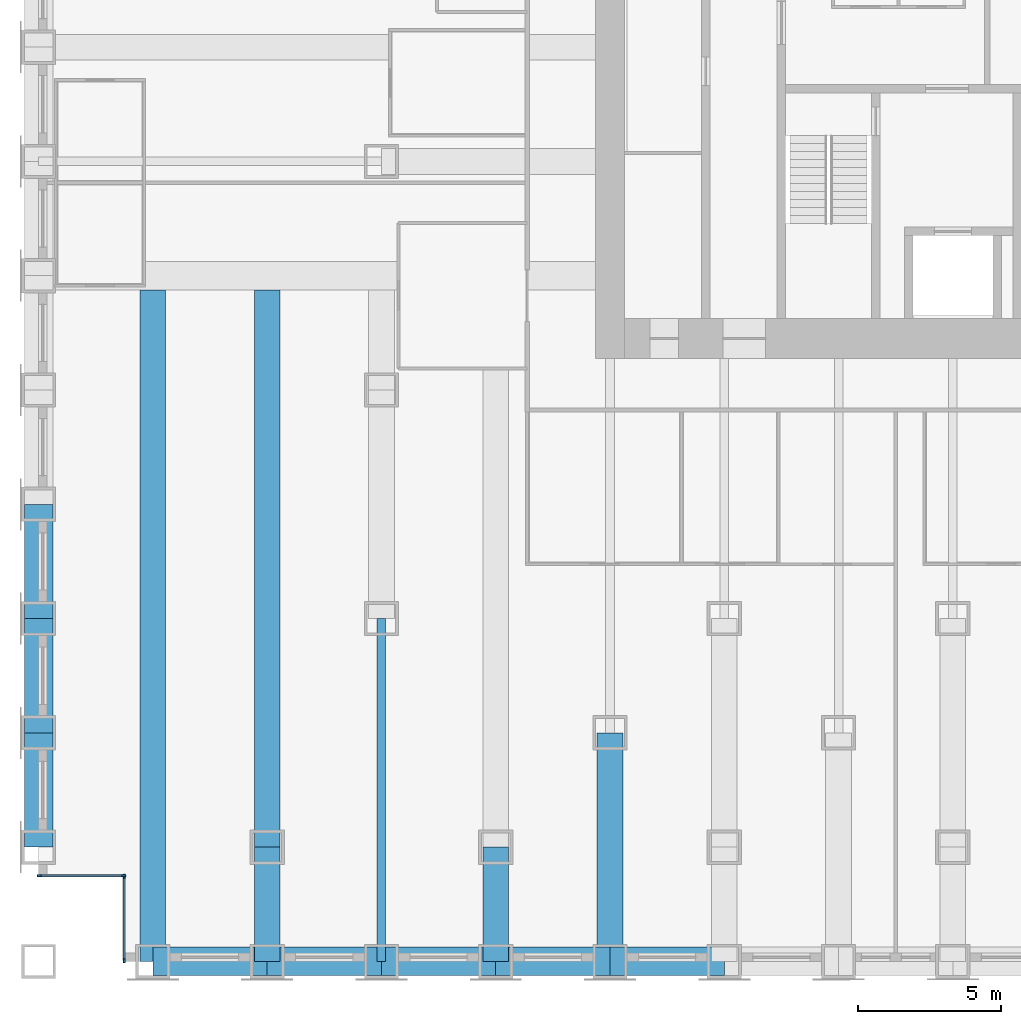
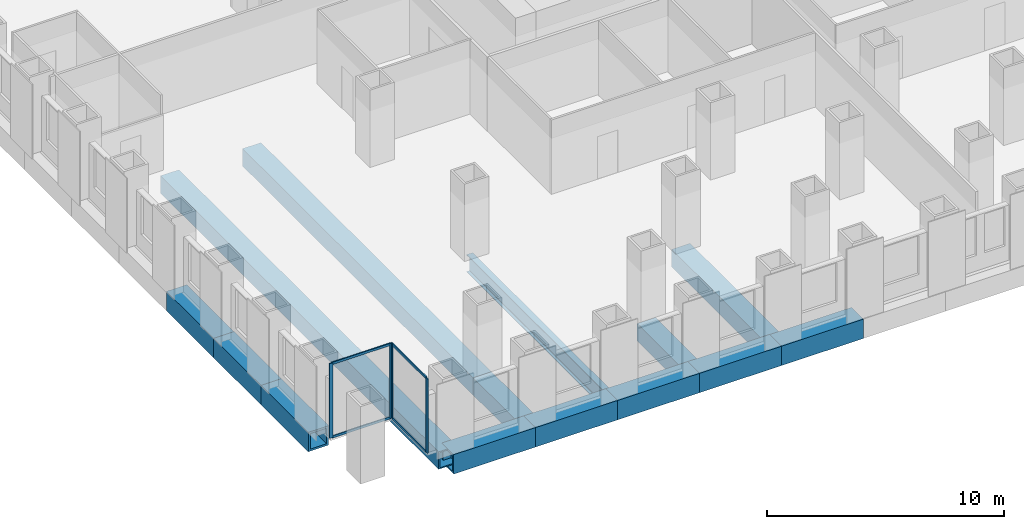
# One storey, part 2 of 15: 14 beams, 8 members, 2 elements without a shape of their own.
"""IFC4 building model written with IfcOpenShell, lengths in metres."""

from ifc_helpers import new_model, si_unit, direction, frame, origin, origin_2d, place, context, subcontext, project, spatial, rectangle, hollow_rectangle, i_section, extrude, material, material_profile, profile_set, type_object, element, aggregate, save


model = new_model("IFC4")

# Units and contexts
model_context = context("Model", 3, precision=1e-05, world=origin(), true_north=direction((0.0, 1.0)))
body_context = subcontext(model_context, "Body", "Model", "MODEL_VIEW")
ifc_project = project(units=[si_unit("LENGTHUNIT", "METRE"), si_unit("AREAUNIT", "SQUARE_METRE"), si_unit("VOLUMEUNIT", "CUBIC_METRE"), si_unit("PLANEANGLEUNIT", "RADIAN"), si_unit("MASSUNIT", "GRAM", prefix="KILO")], contexts=[model_context])

# Site, building, storey
site_placement = place(None, origin())
site = spatial("IfcSite", under=ifc_project, at=site_placement, CompositionType="ELEMENT")
building_placement = place(site_placement, origin())
building = spatial("IfcBuilding", under=site, at=building_placement, Name="Rimbunsela Tower", CompositionType="ELEMENT")
storey_placement = place(building_placement, frame((0.0, 0.0, 31.0)))
storey = spatial("IfcBuildingStorey", under=building, at=storey_placement, Name="L07", CompositionType="ELEMENT", Elevation=31.0)

# Beams
ifc_material_1 = material(Name="Steel BJ 55 (fy 410 MPa)", Category="steel")
ifc_material_profile_1 = material_profile(ifc_material_1, hollow_rectangle(XDim=1.0, YDim=1.0, WallThickness=0.10009765625, at=origin_2d()), Name="BOX 1000x1000x100")
ifc_profile_set_1 = profile_set([ifc_material_profile_1], Name="Steel BJ 55 (fy 410 MPa)")
beam_type_1 = type_object("IfcBeamType", Name="Beam BOX 1000x1000x100", PredefinedType="BEAM", material=ifc_profile_set_1)
for number, where, z_axis, x_axis, name in (
    (1, (-2.0, 0.0, -0.64990234375), (0.0, 1.0, 0.0), (-1.0, 0.0, 0.0), "Beam B3 L07"),
    (2, (-2.0, 4.0, -0.64990234375), (0.0, 1.0, 0.0), (-1.0, 0.0, 0.0), "Beam B3 L07"),
    (3, (-2.0, 8.0, -0.64990234375), (0.0, 1.0, 0.0), (-1.0, 0.0, 0.0), "Beam B3 L07"),
    (4, (2.0, -4.0, -0.64990234375), (1.0, 0.0, 0.0), (0.0, 1.0, 0.0), "Beam B3 L07"),
    (5, (6.0, -4.0, -0.64990234375), (1.0, 0.0, 0.0), (0.0, 1.0, 0.0), "Beam B3 L07"),
    (6, (10.0, -4.0, -0.64990234375), (1.0, 0.0, 0.0), (0.0, 1.0, 0.0), "Beam B3 L07"),
    (7, (14.0, -4.0, -0.64990234375), (1.0, 0.0, 0.0), (0.0, 1.0, 0.0), "Beam B3 L07"),
    (8, (18.0, -4.0, -0.64990234375), (1.0, 0.0, 0.0), (0.0, 1.0, 0.0), "Beam B3 L07"),
):
    element("IfcBeam", number, at=place(storey_placement, frame(where, z_axis=z_axis, x_axis=x_axis)), inside=storey, type_object=beam_type_1, Name=name, PredefinedType="BEAM", context=body_context, shape_type="SweptSolid", body=[
        extrude(hollow_rectangle(XDim=1.0, YDim=1.0, WallThickness=0.10009765625, at=origin_2d()), origin(), (0.0, 0.0, 1.0), 4.0),
    ])
ifc_material_2 = material(Name="Steel BJ 55 (fy 410 MPa)", Category="steel")
ifc_material_profile_2 = material_profile(ifc_material_2, hollow_rectangle(XDim=0.89990234375, YDim=0.89990234375, WallThickness=0.06005859375, at=origin_2d()), Name="BOX 900x900x60")
ifc_profile_set_2 = profile_set([ifc_material_profile_2], Name="Steel BJ 55 (fy 410 MPa)")
beam_type_2 = type_object("IfcBeamType", Name="Beam BOX 900x900x60", PredefinedType="BEAM", material=ifc_profile_set_2)
beam_1_placement = place(storey_placement, frame((2.0, -4.0, -0.60009765625), z_axis=(0.0, 1.0, 0.0), x_axis=(-1.0, 0.0, 0.0)))
element("IfcBeam", 9, at=beam_1_placement, inside=storey, type_object=beam_type_2, Name="Beam B1 L07", PredefinedType="BEAM", context=body_context, shape_type="SweptSolid", body=[
    extrude(hollow_rectangle(XDim=0.89990234375, YDim=0.89990234375, WallThickness=0.06005859375, at=origin_2d()), origin(), (0.0, 0.0, 1.0), 23.5),
])
beam_2_placement = place(storey_placement, frame((6.0, -4.0, -0.60009765625), z_axis=(0.0, 1.0, 0.0), x_axis=(-1.0, 0.0, 0.0)))
element("IfcBeam", 10, at=beam_2_placement, inside=storey, type_object=beam_type_2, Name="Beam B1 L07", PredefinedType="BEAM", context=body_context, shape_type="SweptSolid", body=[
    extrude(hollow_rectangle(XDim=0.89990234375, YDim=0.89990234375, WallThickness=0.06005859375, at=origin_2d()), origin(), (0.0, 0.0, 1.0), 4.0),
])
beam_3_placement = place(storey_placement, frame((6.0, 0.0, -0.60009765625), z_axis=(0.0, 1.0, 0.0), x_axis=(-1.0, 0.0, 0.0)))
element("IfcBeam", 11, at=beam_3_placement, inside=storey, type_object=beam_type_2, Name="Beam B1 L07", PredefinedType="BEAM", context=body_context, shape_type="SweptSolid", body=[
    extrude(hollow_rectangle(XDim=0.89990234375, YDim=0.89990234375, WallThickness=0.06005859375, at=origin_2d()), origin(), (0.0, 0.0, 1.0), 19.5),
])
beam_4_placement = place(storey_placement, frame((14.0, -4.0, -0.60009765625), z_axis=(0.0, 1.0, 0.0), x_axis=(-1.0, 0.0, 0.0)))
element("IfcBeam", 12, at=beam_4_placement, inside=storey, type_object=beam_type_2, Name="Beam B1 L07", PredefinedType="BEAM", context=body_context, shape_type="SweptSolid", body=[
    extrude(hollow_rectangle(XDim=0.89990234375, YDim=0.89990234375, WallThickness=0.06005859375, at=origin_2d()), origin(), (0.0, 0.0, 1.0), 4.0),
])
beam_5_placement = place(storey_placement, frame((18.0, -4.0, -0.60009765625), z_axis=(0.0, 1.0, 0.0), x_axis=(-1.0, 0.0, 0.0)))
element("IfcBeam", 13, at=beam_5_placement, inside=storey, type_object=beam_type_2, Name="Beam B1 L07", PredefinedType="BEAM", context=body_context, shape_type="SweptSolid", body=[
    extrude(hollow_rectangle(XDim=0.89990234375, YDim=0.89990234375, WallThickness=0.06005859375, at=origin_2d()), origin(), (0.0, 0.0, 1.0), 8.0),
])
ifc_material_3 = material(Name="Steel BJ 55 (fy 410 MPa)", Category="steel")
ifc_material_profile_3 = material_profile(ifc_material_3, i_section(OverallWidth=0.300048828125, OverallDepth=0.89990234375, WebThickness=0.01611328125, FlangeThickness=0.028076171875, FilletRadius=0.028076171875, at=origin_2d()), Name="H 900x300x16x28")
ifc_profile_set_3 = profile_set([ifc_material_profile_3], Name="Steel BJ 55 (fy 410 MPa)")
beam_type_3 = type_object("IfcBeamType", Name="Beam H 900x300x16x28", PredefinedType="BEAM", material=ifc_profile_set_3)
beam_6_placement = place(storey_placement, frame((10.0, -4.0, -0.60009765625), z_axis=(0.0, 1.0, 0.0), x_axis=(-1.0, 0.0, 0.0)))
element("IfcBeam", 14, at=beam_6_placement, inside=storey, type_object=beam_type_3, Name="Beam B2 L07", PredefinedType="BEAM", context=body_context, shape_type="SweptSolid", body=[
    extrude(i_section(OverallWidth=0.300048828125, OverallDepth=0.89990234375, WebThickness=0.01611328125, FlangeThickness=0.028076171875, FilletRadius=0.028076171875, at=origin_2d()), origin(), (0.0, 0.0, 1.0), 12.0),
])

# Curtain wall, members
ifc_material_4 = material(Name="Aluminium curtain wall", Category="aluminium")
curtain_wall_type = type_object("IfcCurtainWallType", Name="Corner glazing", PredefinedType="USERDEFINED", material=ifc_material_4)
curtain_wall_1_placement = place(storey_placement, origin())
curtain_wall_1 = element("IfcCurtainWall", 15, at=curtain_wall_1_placement, inside=storey, type_object=curtain_wall_type, Name="Corner glazing L07", ObjectType="CORNER GLAZING", PredefinedType="USERDEFINED")
ifc_material_5 = material(Name="Aluminium mullion", Category="aluminium")
ifc_material_profile_4 = material_profile(ifc_material_5, rectangle(XDim=0.06005859375, YDim=0.159912109375, at=origin_2d()), Name="Mullion 60x160")
ifc_profile_set_4 = profile_set([ifc_material_profile_4], Name="Aluminium mullion")
member_type_1 = type_object("IfcMemberType", Name="Curtain wall mullion 60x160", PredefinedType="MULLION", material=ifc_profile_set_4)
member_1_placement = place(storey_placement, frame((-1.969970703125, -1.0, 0.0), z_axis=(0.0, 0.0, 1.0), x_axis=(0.0, 1.0, 0.0)))
member_1 = element("IfcMember", 16, at=member_1_placement, type_object=member_type_1, Name="CW5 mullion 1", PredefinedType="MULLION", context=body_context, shape_type="SweptSolid", body=[
    extrude(rectangle(XDim=0.06005859375, YDim=0.159912109375, at=origin_2d()), origin(), (0.0, 0.0, 1.0), 3.85009765625),
])
member_2_placement = place(storey_placement, frame((0.969970703125, -1.0, 0.0), z_axis=(0.0, 0.0, 1.0), x_axis=(0.0, 1.0, 0.0)))
member_2 = element("IfcMember", 17, at=member_2_placement, type_object=member_type_1, Name="CW5 mullion 2", PredefinedType="MULLION", context=body_context, shape_type="SweptSolid", body=[
    extrude(rectangle(XDim=0.06005859375, YDim=0.159912109375, at=origin_2d()), origin(), (0.0, 0.0, 1.0), 3.85009765625),
])

curtain_wall_2_placement = place(storey_placement, origin())
curtain_wall_2 = element("IfcCurtainWall", 18, at=curtain_wall_2_placement, inside=storey, type_object=curtain_wall_type, Name="Corner glazing L07", ObjectType="CORNER GLAZING", PredefinedType="USERDEFINED")
member_3_placement = place(storey_placement, frame((1.0, -1.030029296875, 0.0), z_axis=(0.0, 0.0, 1.0), x_axis=(1.0, 0.0, 0.0)))
member_3 = element("IfcMember", 19, at=member_3_placement, type_object=member_type_1, Name="CW5 mullion 1", PredefinedType="MULLION", context=body_context, shape_type="SweptSolid", body=[
    extrude(rectangle(XDim=0.06005859375, YDim=0.159912109375, at=origin_2d()), origin(), (0.0, 0.0, 1.0), 3.85009765625),
])
member_4_placement = place(storey_placement, frame((1.0, -3.969970703125, 0.0), z_axis=(0.0, 0.0, 1.0), x_axis=(1.0, 0.0, 0.0)))
member_4 = element("IfcMember", 20, at=member_4_placement, type_object=member_type_1, Name="CW5 mullion 2", PredefinedType="MULLION", context=body_context, shape_type="SweptSolid", body=[
    extrude(rectangle(XDim=0.06005859375, YDim=0.159912109375, at=origin_2d()), origin(), (0.0, 0.0, 1.0), 3.85009765625),
])

# Member
ifc_material_6 = material(Name="Aluminium transom", Category="aluminium")
ifc_material_profile_5 = material_profile(ifc_material_6, rectangle(XDim=0.06005859375, YDim=0.1201171875, at=origin_2d()), Name="Transom 60x120")
ifc_profile_set_5 = profile_set([ifc_material_profile_5], Name="Aluminium transom")
member_type_2 = type_object("IfcMemberType", Name="Curtain wall transom 60x120", PredefinedType="USERDEFINED", material=ifc_profile_set_5)
member_5_placement = place(storey_placement, frame((-1.93994140625, -1.0, 0.030029296875), z_axis=(1.0, 0.0, 0.0), x_axis=(0.0, 1.0, 0.0)))
member_5 = element("IfcMember", 21, at=member_5_placement, type_object=member_type_2, Name="CW5 transom 1.1", ObjectType="TRANSOM", PredefinedType="USERDEFINED", context=body_context, shape_type="SweptSolid", body=[
    extrude(rectangle(XDim=0.06005859375, YDim=0.1201171875, at=origin_2d()), origin(), (0.0, 0.0, 1.0), 2.8798828125),
])

member_6_placement = place(storey_placement, frame((-1.93994140625, -1.0, 3.820068359375), z_axis=(1.0, 0.0, 0.0), x_axis=(0.0, 1.0, 0.0)))
member_6 = element("IfcMember", 22, at=member_6_placement, type_object=member_type_2, Name="CW5 transom 1.2", ObjectType="TRANSOM", PredefinedType="USERDEFINED", context=body_context, shape_type="SweptSolid", body=[
    extrude(rectangle(XDim=0.06005859375, YDim=0.1201171875, at=origin_2d()), origin(), (0.0, 0.0, 1.0), 2.8798828125),
])

aggregate(curtain_wall_1, [member_1, member_2, member_5, member_6])

member_7_placement = place(storey_placement, frame((1.0, -1.06005859375, 0.030029296875), z_axis=(0.0, -1.0, 0.0), x_axis=(1.0, 0.0, 0.0)))
member_7 = element("IfcMember", 23, at=member_7_placement, type_object=member_type_2, Name="CW5 transom 1.1", ObjectType="TRANSOM", PredefinedType="USERDEFINED", context=body_context, shape_type="SweptSolid", body=[
    extrude(rectangle(XDim=0.06005859375, YDim=0.1201171875, at=origin_2d()), origin(), (0.0, 0.0, 1.0), 2.8798828125),
])

member_8_placement = place(storey_placement, frame((1.0, -1.06005859375, 3.820068359375), z_axis=(0.0, -1.0, 0.0), x_axis=(1.0, 0.0, 0.0)))
member_8 = element("IfcMember", 24, at=member_8_placement, type_object=member_type_2, Name="CW5 transom 1.2", ObjectType="TRANSOM", PredefinedType="USERDEFINED", context=body_context, shape_type="SweptSolid", body=[
    extrude(rectangle(XDim=0.06005859375, YDim=0.1201171875, at=origin_2d()), origin(), (0.0, 0.0, 1.0), 2.8798828125),
])

aggregate(curtain_wall_2, [member_3, member_4, member_7, member_8])

save(model, "model.ifc")
